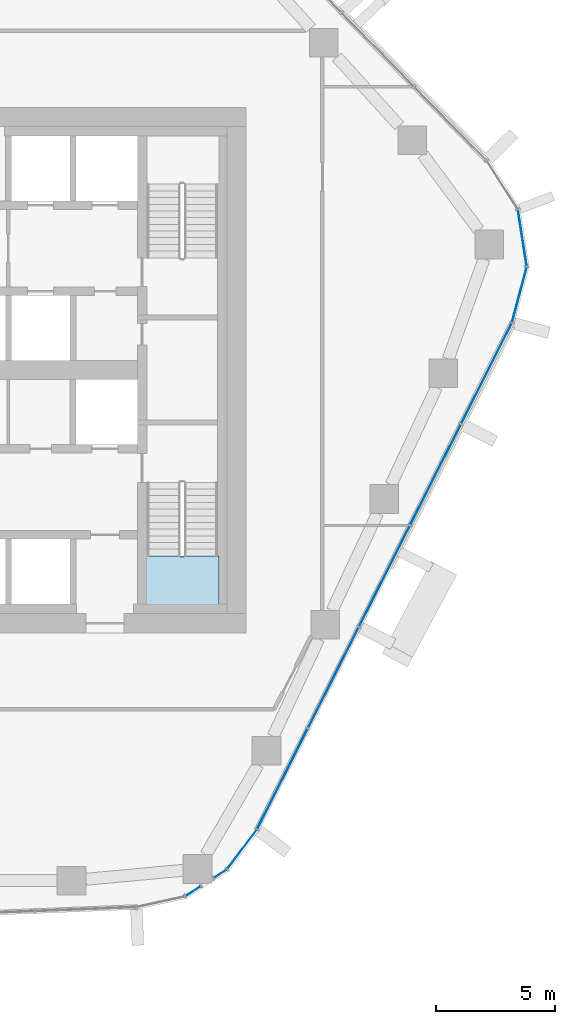
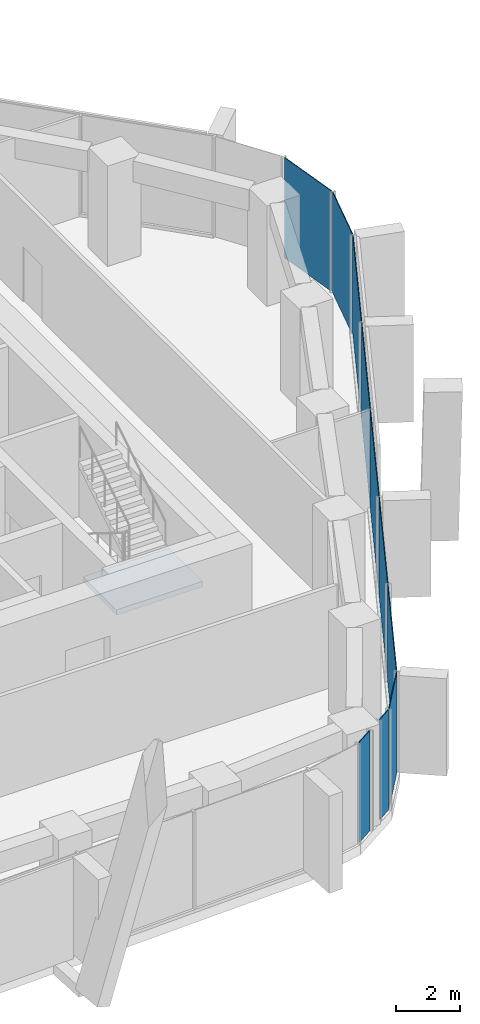
# One storey, part 10 of 19: 10 plates, 1 slab, 5 elements without a shape of their own.
"""IFC4 building model written with IfcOpenShell, lengths in metres."""

from ifc_helpers import new_model, si_unit, direction, frame, origin, origin_2d, place, context, subcontext, project, spatial, polyline, rectangle, outline, extrude, material, layer, layer_set, type_object, element, aggregate, save


model = new_model("IFC4")

# Units and contexts
model_context = context("Model", 3, precision=1e-05, world=origin(), true_north=direction((0.0, 1.0)))
body_context = subcontext(model_context, "Body", "Model", "MODEL_VIEW")
ifc_project = project(units=[si_unit("LENGTHUNIT", "METRE"), si_unit("AREAUNIT", "SQUARE_METRE"), si_unit("VOLUMEUNIT", "CUBIC_METRE"), si_unit("PLANEANGLEUNIT", "RADIAN"), si_unit("MASSUNIT", "GRAM", prefix="KILO")], contexts=[model_context])

# Site, building, storey
site_placement = place(None, origin())
site = spatial("IfcSite", under=ifc_project, at=site_placement, CompositionType="ELEMENT")
building_placement = place(site_placement, origin())
building = spatial("IfcBuilding", under=site, at=building_placement, Name="Dongbaek Canopy Tower", CompositionType="ELEMENT")
storey_placement = place(building_placement, frame((0.0, 0.0, 207.199951171875)))
storey = spatial("IfcBuildingStorey", under=building, at=storey_placement, Name="L43", CompositionType="ELEMENT", Elevation=207.199951171875)

# Curtain wall, plates
ifc_material_1 = material(Name="Aluminium 6063-T6 pale anodised", Category="aluminium")
ifc_layer_1 = layer(ifc_material_1, 0.199951171875)
ifc_layer_set_1 = layer_set([ifc_layer_1], Name="CW-1 unitised tower curtain wall")
curtain_wall_type = type_object("IfcCurtainWallType", Name="CW-1 unitised tower curtain wall", PredefinedType="NOTDEFINED", material=ifc_layer_set_1)
curtain_wall_1_placement = place(storey_placement, origin())
curtain_wall_1 = element("IfcCurtainWall", 1, at=curtain_wall_1_placement, inside=storey, type_object=curtain_wall_type, Name="CW-1 curtain wall K0.1", PredefinedType="NOTDEFINED")
ifc_material_2 = material(Name="Clear laminated glass", Category="glass")
ifc_layer_2 = layer(ifc_material_2, 0.028076171875)
ifc_layer_set_2 = layer_set([ifc_layer_2], Name="CW-1 glazed panel 28")
plate_type = type_object("IfcPlateType", Name="CW-1 glazed panel 28", PredefinedType="CURTAIN_PANEL", material=ifc_layer_set_2)
plate_1_placement = place(storey_placement, frame((25.443603515625, 3.149658203125, 0.0), z_axis=(0.0, 0.0, 1.0), x_axis=(0.256292735815, 0.966599210412, 0.0)))
plate_1 = element("IfcPlate", 2, at=plate_1_placement, type_object=plate_type, Name="CW-1 panel K0.1.1.1", PredefinedType="CURTAIN_PANEL", context=body_context, shape_type="SweptSolid", body=[
    extrude(rectangle(XDim=2.35107421875, YDim=0.028076171875, at=origin_2d()), origin(), (0.0, 0.0, 1.0), 3.820068359375),
])
plate_2_placement = place(storey_placement, frame((25.56884765625, 5.5244140625, 0.0), z_axis=(0.0, 0.0, 1.0), x_axis=(-0.154235837311, 0.988034061401, 0.0)))
plate_2 = element("IfcPlate", 3, at=plate_2_placement, type_object=plate_type, Name="CW-1 panel K0.1.2.1", PredefinedType="CURTAIN_PANEL", context=body_context, shape_type="SweptSolid", body=[
    extrude(rectangle(XDim=2.340576171875, YDim=0.028076171875, at=origin_2d()), origin(), (0.0, 0.0, 1.0), 3.820068359375),
])
aggregate(curtain_wall_1, [plate_1, plate_2])

# Curtain wall, plate
curtain_wall_2_placement = place(storey_placement, origin())
curtain_wall_2 = element("IfcCurtainWall", 4, at=curtain_wall_2_placement, inside=storey, type_object=curtain_wall_type, Name="CW-1 curtain wall K5.1a", PredefinedType="NOTDEFINED")
plate_3_placement = place(storey_placement, frame((11.794189453125, -21.813232421875, 0.0), z_axis=(0.0, 0.0, 1.0), x_axis=(0.840853052561, 0.541263470039, 0.0)))
plate_3 = element("IfcPlate", 5, at=plate_3_placement, type_object=plate_type, Name="CW-1 panel K5.1a.2.1", PredefinedType="CURTAIN_PANEL", context=body_context, shape_type="SweptSolid", body=[
    extrude(rectangle(XDim=0.72509765625, YDim=0.028076171875, at=origin_2d()), origin(), (0.0, 0.0, 1.0), 3.820068359375),
])
aggregate(curtain_wall_2, [plate_3])

# Curtain wall, plates
curtain_wall_3_placement = place(storey_placement, origin())
curtain_wall_3 = element("IfcCurtainWall", 6, at=curtain_wall_3_placement, inside=storey, type_object=curtain_wall_type, Name="CW-1 curtain wall K5.1b", PredefinedType="NOTDEFINED")
plate_4_placement = place(storey_placement, frame((12.92431640625, -21.0859375, 0.0), z_axis=(0.0, 0.0, 1.0), x_axis=(0.840853052561, 0.541263470039, 0.0)))
plate_4 = element("IfcPlate", 7, at=plate_4_placement, type_object=plate_type, Name="CW-1 panel K5.1b.1.1", PredefinedType="CURTAIN_PANEL", context=body_context, shape_type="SweptSolid", body=[
    extrude(rectangle(XDim=0.58642578125, YDim=0.028076171875, at=origin_2d()), origin(), (0.0, 0.0, 1.0), 3.820068359375),
])
plate_5_placement = place(storey_placement, frame((13.833984375, -20.067626953125, 0.0), z_axis=(0.0, 0.0, 1.0), x_axis=(0.60020334568, 0.799847450352, 0.0)))
plate_5 = element("IfcPlate", 8, at=plate_5_placement, type_object=plate_type, Name="CW-1 panel K5.1b.2.1", PredefinedType="CURTAIN_PANEL", context=body_context, shape_type="SweptSolid", body=[
    extrude(rectangle(XDim=2.008544921875, YDim=0.028076171875, at=origin_2d()), origin(), (0.0, 0.0, 1.0), 3.820068359375),
])
aggregate(curtain_wall_3, [plate_4, plate_5])

curtain_wall_4_placement = place(storey_placement, origin())
curtain_wall_4 = element("IfcCurtainWall", 9, at=curtain_wall_4_placement, inside=storey, type_object=curtain_wall_type, Name="CW-1 curtain wall F5.1", PredefinedType="NOTDEFINED")
plate_6_placement = place(storey_placement, frame((15.52783203125, -17.112548828125, 0.1201171875), z_axis=(0.0, 0.0, 1.0), x_axis=(0.449498908716, 0.893280880274, 0.0)))
plate_6 = element("IfcPlate", 10, at=plate_6_placement, type_object=plate_type, Name="CW-1 panel F5.1.1.1", PredefinedType="CURTAIN_PANEL", context=body_context, shape_type="SweptSolid", body=[
    extrude(rectangle(XDim=4.658203125, YDim=0.028076171875, at=origin_2d()), origin(), (0.0, 0.0, 1.0), 3.699951171875),
])
plate_7_placement = place(storey_placement, frame((17.661376953125, -12.872314453125, 0.1201171875), z_axis=(0.0, 0.0, 1.0), x_axis=(0.449498908716, 0.893280880274, 0.0)))
plate_7 = element("IfcPlate", 11, at=plate_7_placement, type_object=plate_type, Name="CW-1 panel F5.1.2.1", PredefinedType="CURTAIN_PANEL", context=body_context, shape_type="SweptSolid", body=[
    extrude(rectangle(XDim=4.667236328125, YDim=0.028076171875, at=origin_2d()), origin(), (0.0, 0.0, 1.0), 3.699951171875),
])
plate_8_placement = place(storey_placement, frame((19.797119140625, -8.628173828125, 0.1201171875), z_axis=(0.0, 0.0, 1.0), x_axis=(0.449498908716, 0.893280880274, 0.0)))
plate_8 = element("IfcPlate", 12, at=plate_8_placement, type_object=plate_type, Name="CW-1 panel F5.1.3.1", PredefinedType="CURTAIN_PANEL", context=body_context, shape_type="SweptSolid", body=[
    extrude(rectangle(XDim=4.667236328125, YDim=0.028076171875, at=origin_2d()), origin(), (0.0, 0.0, 1.0), 3.699951171875),
])
plate_9_placement = place(storey_placement, frame((21.932861328125, -4.384033203125, 0.1201171875), z_axis=(0.0, 0.0, 1.0), x_axis=(0.449498908716, 0.893280880274, 0.0)))
plate_9 = element("IfcPlate", 13, at=plate_9_placement, type_object=plate_type, Name="CW-1 panel F5.1.4.1", PredefinedType="CURTAIN_PANEL", context=body_context, shape_type="SweptSolid", body=[
    extrude(rectangle(XDim=4.667236328125, YDim=0.028076171875, at=origin_2d()), origin(), (0.0, 0.0, 1.0), 3.699951171875),
])
plate_10_placement = place(storey_placement, frame((24.066162109375, -0.14453125, 0.1201171875), z_axis=(0.0, 0.0, 1.0), x_axis=(0.449498908716, 0.893280880274, 0.0)))
plate_10 = element("IfcPlate", 14, at=plate_10_placement, type_object=plate_type, Name="CW-1 panel F5.1.5.1", PredefinedType="CURTAIN_PANEL", context=body_context, shape_type="SweptSolid", body=[
    extrude(rectangle(XDim=4.65673828125, YDim=0.028076171875, at=origin_2d()), origin(), (0.0, 0.0, 1.0), 3.699951171875),
])
aggregate(curtain_wall_4, [plate_6, plate_7, plate_8, plate_9, plate_10])

# Stair, slab
ifc_material_3 = material(Name="Concrete C40/50", Category="concrete")
stair_type = type_object("IfcStairType", Name="Core exit stair", PredefinedType="HALF_TURN_STAIR", material=ifc_material_3)
stair_placement = place(storey_placement, origin())
stair = element("IfcStair", 15, at=stair_placement, inside=storey, type_object=stair_type, Name="L43 exit stair B", PredefinedType="HALF_TURN_STAIR")
ifc_material_4 = material(Name="Concrete C40/50", Category="concrete")
ifc_layer_3 = layer(ifc_material_4, 0.199951171875)
ifc_layer_set_3 = layer_set([ifc_layer_3], Name="Core stair landing 200")
slab_type = type_object("IfcSlabType", Name="Core stair landing 200", PredefinedType="LANDING", material=ifc_layer_set_3)
slab_placement = place(storey_placement, frame((0.0, 0.0, 1.900146484375)))
slab = element("IfcSlab", 16, at=slab_placement, type_object=slab_type, Name="ST-B landing 1", PredefinedType="LANDING", context=body_context, shape_type="SweptSolid", body=[
    extrude(outline(polyline([(9.77490234375, -7.780029296875), (9.77490234375, -9.875), (12.875, -9.875), (12.875, -7.780029296875), (9.77490234375, -7.780029296875)])), origin(), (0.0, 0.0, 1.0), 0.199951171875),
])
aggregate(stair, [slab])

save(model, "model.ifc")
